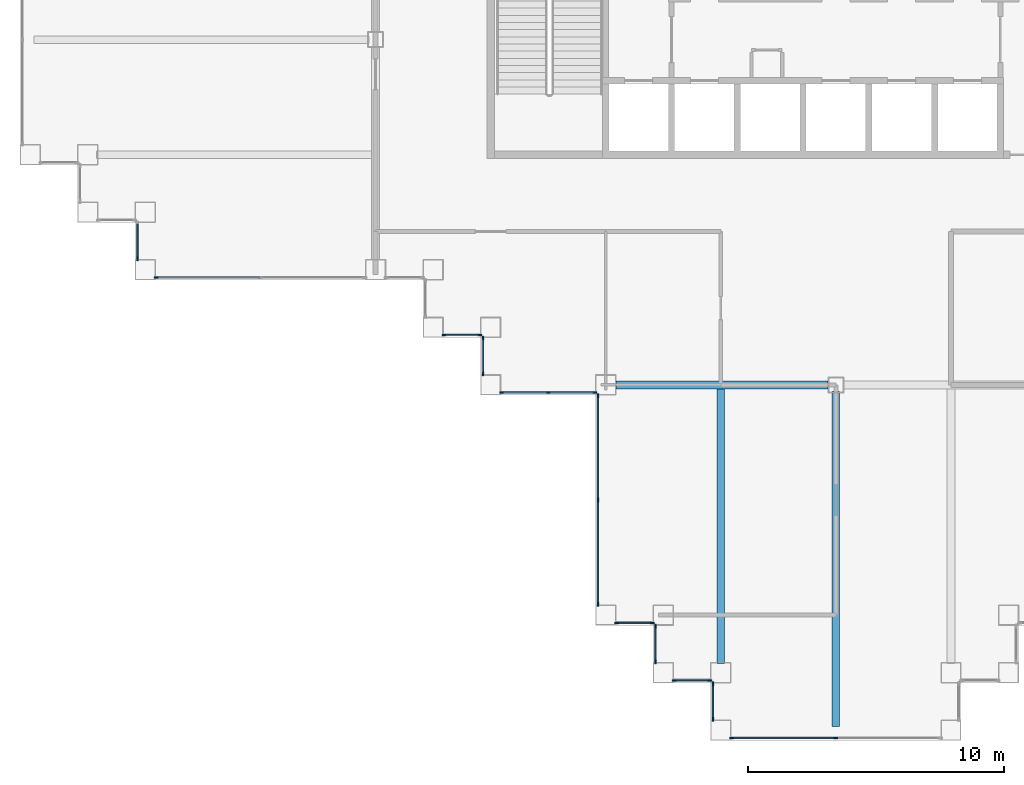
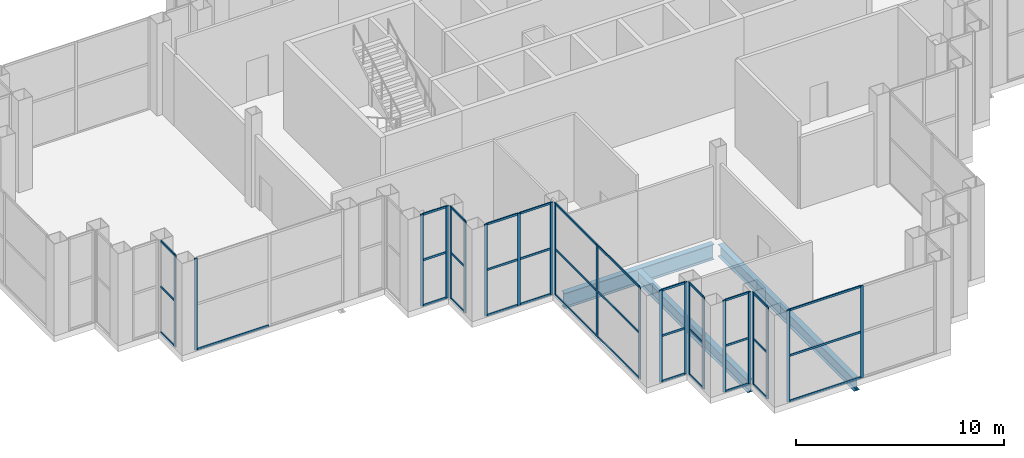
# One storey, part 3 of 18: 59 members, 3 beams, 11 elements without a shape of their own.
"""IFC4 building model written with IfcOpenShell, lengths in metres."""

from ifc_helpers import new_model, si_unit, direction, frame, origin, origin_2d, place, context, subcontext, project, spatial, rectangle, i_section, extrude, material, layer, layer_set, material_profile, profile_set, type_object, element, aggregate, save


model = new_model("IFC4")

# Units and contexts
model_context = context("Model", 3, precision=1e-05, world=origin(), true_north=direction((0.0, 1.0)))
body_context = subcontext(model_context, "Body", "Model", "MODEL_VIEW")
ifc_project = project(units=[si_unit("LENGTHUNIT", "METRE"), si_unit("AREAUNIT", "SQUARE_METRE"), si_unit("VOLUMEUNIT", "CUBIC_METRE"), si_unit("PLANEANGLEUNIT", "RADIAN"), si_unit("MASSUNIT", "GRAM", prefix="KILO")], contexts=[model_context])

# Site, building, storey
site_placement = place(None, origin())
site = spatial("IfcSite", under=ifc_project, at=site_placement, CompositionType="ELEMENT")
building_placement = place(site_placement, origin())
building = spatial("IfcBuilding", under=site, at=building_placement, Name="Caravel Reach Hotel and Residences", CompositionType="ELEMENT")
storey_placement = place(building_placement, frame((0.0, 0.0, 145.199951171875)))
storey = spatial("IfcBuildingStorey", under=building, at=storey_placement, Name="L36", CompositionType="ELEMENT", Elevation=145.199951171875)

# Beams
ifc_material_1 = material(Name="Structural steel Q355B", Category="steel")
ifc_material_profile_1 = material_profile(ifc_material_1, i_section(OverallWidth=0.300048828125, OverallDepth=0.699951171875, WebThickness=0.012939453125, FlangeThickness=0.02392578125, FilletRadius=0.01806640625, at=origin_2d()), Name="HN 700x300x13x24")
ifc_profile_set_1 = profile_set([ifc_material_profile_1], Name="Structural steel Q355B")
beam_type_1 = type_object("IfcBeamType", Name="Beam HN 700x300x13x24", PredefinedType="BEAM", material=ifc_profile_set_1)
beam_1_placement = place(storey_placement, frame((27.0, 13.35009765625, -0.699951171875), z_axis=(0.0, -1.0, 0.0), x_axis=(1.0, 0.0, 0.0)))
element("IfcBeam", 1, at=beam_1_placement, inside=storey, type_object=beam_type_1, Name="B2 HN 700x300x13x24", PredefinedType="BEAM", context=body_context, shape_type="SweptSolid", body=[
    extrude(i_section(OverallWidth=0.300048828125, OverallDepth=0.699951171875, WebThickness=0.012939453125, FlangeThickness=0.02392578125, FilletRadius=0.01806640625, at=origin_2d()), origin(), (0.0, 0.0, 1.0), 10.75),
])
beam_2_placement = place(storey_placement, frame((31.5, 13.25, -0.699951171875), z_axis=(0.0, -1.0, 0.0), x_axis=(1.0, 0.0, 0.0)))
element("IfcBeam", 2, at=beam_2_placement, inside=storey, type_object=beam_type_1, Name="B2 HN 700x300x13x24", PredefinedType="BEAM", context=body_context, shape_type="SweptSolid", body=[
    extrude(i_section(OverallWidth=0.300048828125, OverallDepth=0.699951171875, WebThickness=0.012939453125, FlangeThickness=0.02392578125, FilletRadius=0.01806640625, at=origin_2d()), origin(), (0.0, 0.0, 1.0), 13.10009765625),
])
ifc_material_2 = material(Name="Structural steel Q355B", Category="steel")
ifc_material_profile_2 = material_profile(ifc_material_2, i_section(OverallWidth=0.300048828125, OverallDepth=0.89990234375, WebThickness=0.01611328125, FlangeThickness=0.028076171875, FilletRadius=0.01806640625, at=origin_2d()), Name="HN 900x300x16x28")
ifc_profile_set_2 = profile_set([ifc_material_profile_2], Name="Structural steel Q355B")
beam_type_2 = type_object("IfcBeamType", Name="Beam HN 900x300x16x28", PredefinedType="BEAM", material=ifc_profile_set_2)
beam_3_placement = place(storey_placement, frame((22.89990234375, 13.5, -0.800048828125), z_axis=(1.0, 0.0, 0.0), x_axis=(0.0, 1.0, 0.0)))
element("IfcBeam", 3, at=beam_3_placement, inside=storey, type_object=beam_type_2, Name="B3 HN 900x300x16x28", PredefinedType="BEAM", context=body_context, shape_type="SweptSolid", body=[
    extrude(i_section(OverallWidth=0.300048828125, OverallDepth=0.89990234375, WebThickness=0.01611328125, FlangeThickness=0.028076171875, FilletRadius=0.01806640625, at=origin_2d()), origin(), (0.0, 0.0, 1.0), 8.300048828125),
])

# Curtain wall, members
ifc_material_3 = material(Name="Dark low-e glazing in black aluminium frame", Category="aluminium")
ifc_layer = layer(ifc_material_3, 0.199951171875)
ifc_layer_set = layer_set([ifc_layer], Name="CW2 Sky lobby glazing")
curtain_wall_type = type_object("IfcCurtainWallType", Name="CW2 Sky lobby glazing", PredefinedType="NOTDEFINED", material=ifc_layer_set)
curtain_wall_1_placement = place(storey_placement, origin())
curtain_wall_1 = element("IfcCurtainWall", 4, at=curtain_wall_1_placement, inside=storey, type_object=curtain_wall_type, Name="Sky lobby glazing b0", PredefinedType="NOTDEFINED")
ifc_material_4 = material(Name="Anodised aluminium alloy 6063-T5, black", Category="aluminium")
ifc_material_profile_3 = material_profile(ifc_material_4, rectangle(XDim=0.06005859375, YDim=0.159912109375, at=origin_2d()), Name="CW mullion 60 x 160")
ifc_profile_set_3 = profile_set([ifc_material_profile_3], Name="Anodised aluminium alloy 6063-T5, black")
member_type_1 = type_object("IfcMemberType", Name="CW mullion 60 x 160", PredefinedType="MULLION", material=ifc_profile_set_3)
member_1_placement = place(storey_placement, frame((22.929931640625, 4.199951171875, 0.0), z_axis=(0.0, 0.0, 1.0), x_axis=(0.0, 1.0, 0.0)))
member_1 = element("IfcMember", 5, at=member_1_placement, type_object=member_type_1, Name="CW2 mullion 1", PredefinedType="MULLION", context=body_context, shape_type="SweptSolid", body=[
    extrude(rectangle(XDim=0.06005859375, YDim=0.159912109375, at=origin_2d()), origin(), (0.0, 0.0, 1.0), 5.400146484375),
])
member_2_placement = place(storey_placement, frame((24.320068359375, 4.199951171875, 0.0), z_axis=(0.0, 0.0, 1.0), x_axis=(0.0, 1.0, 0.0)))
member_2 = element("IfcMember", 6, at=member_2_placement, type_object=member_type_1, Name="CW2 mullion 2", PredefinedType="MULLION", context=body_context, shape_type="SweptSolid", body=[
    extrude(rectangle(XDim=0.06005859375, YDim=0.159912109375, at=origin_2d()), origin(), (0.0, 0.0, 1.0), 5.400146484375),
])

curtain_wall_2_placement = place(storey_placement, origin())
curtain_wall_2 = element("IfcCurtainWall", 7, at=curtain_wall_2_placement, inside=storey, type_object=curtain_wall_type, Name="Sky lobby glazing b0", PredefinedType="NOTDEFINED")
member_3_placement = place(storey_placement, frame((24.449951171875, 4.070068359375, 0.0), z_axis=(0.0, 0.0, 1.0), x_axis=(1.0, 0.0, 0.0)))
member_3 = element("IfcMember", 8, at=member_3_placement, type_object=member_type_1, Name="CW2 mullion 1", PredefinedType="MULLION", context=body_context, shape_type="SweptSolid", body=[
    extrude(rectangle(XDim=0.06005859375, YDim=0.159912109375, at=origin_2d()), origin(), (0.0, 0.0, 1.0), 5.400146484375),
])
member_4_placement = place(storey_placement, frame((24.449951171875, 2.679931640625, 0.0), z_axis=(0.0, 0.0, 1.0), x_axis=(1.0, 0.0, 0.0)))
member_4 = element("IfcMember", 9, at=member_4_placement, type_object=member_type_1, Name="CW2 mullion 2", PredefinedType="MULLION", context=body_context, shape_type="SweptSolid", body=[
    extrude(rectangle(XDim=0.06005859375, YDim=0.159912109375, at=origin_2d()), origin(), (0.0, 0.0, 1.0), 5.400146484375),
])

curtain_wall_3_placement = place(storey_placement, origin())
curtain_wall_3 = element("IfcCurtainWall", 10, at=curtain_wall_3_placement, inside=storey, type_object=curtain_wall_type, Name="Sky lobby glazing b0", PredefinedType="NOTDEFINED")
member_5_placement = place(storey_placement, frame((25.179931640625, 1.949951171875, 0.0), z_axis=(0.0, 0.0, 1.0), x_axis=(0.0, 1.0, 0.0)))
member_5 = element("IfcMember", 11, at=member_5_placement, type_object=member_type_1, Name="CW2 mullion 1", PredefinedType="MULLION", context=body_context, shape_type="SweptSolid", body=[
    extrude(rectangle(XDim=0.06005859375, YDim=0.159912109375, at=origin_2d()), origin(), (0.0, 0.0, 1.0), 5.400146484375),
])
member_6_placement = place(storey_placement, frame((26.570068359375, 1.949951171875, 0.0), z_axis=(0.0, 0.0, 1.0), x_axis=(0.0, 1.0, 0.0)))
member_6 = element("IfcMember", 12, at=member_6_placement, type_object=member_type_1, Name="CW2 mullion 2", PredefinedType="MULLION", context=body_context, shape_type="SweptSolid", body=[
    extrude(rectangle(XDim=0.06005859375, YDim=0.159912109375, at=origin_2d()), origin(), (0.0, 0.0, 1.0), 5.400146484375),
])

curtain_wall_4_placement = place(storey_placement, origin())
curtain_wall_4 = element("IfcCurtainWall", 13, at=curtain_wall_4_placement, inside=storey, type_object=curtain_wall_type, Name="Sky lobby glazing b0", PredefinedType="NOTDEFINED")
member_7_placement = place(storey_placement, frame((26.699951171875, 1.820068359375, 0.0), z_axis=(0.0, 0.0, 1.0), x_axis=(1.0, 0.0, 0.0)))
member_7 = element("IfcMember", 14, at=member_7_placement, type_object=member_type_1, Name="CW2 mullion 1", PredefinedType="MULLION", context=body_context, shape_type="SweptSolid", body=[
    extrude(rectangle(XDim=0.06005859375, YDim=0.159912109375, at=origin_2d()), origin(), (0.0, 0.0, 1.0), 5.400146484375),
])
member_8_placement = place(storey_placement, frame((26.699951171875, 0.429931640625, 0.0), z_axis=(0.0, 0.0, 1.0), x_axis=(1.0, 0.0, 0.0)))
member_8 = element("IfcMember", 15, at=member_8_placement, type_object=member_type_1, Name="CW2 mullion 2", PredefinedType="MULLION", context=body_context, shape_type="SweptSolid", body=[
    extrude(rectangle(XDim=0.06005859375, YDim=0.159912109375, at=origin_2d()), origin(), (0.0, 0.0, 1.0), 5.400146484375),
])

curtain_wall_5_placement = place(storey_placement, origin())
curtain_wall_5 = element("IfcCurtainWall", 16, at=curtain_wall_5_placement, inside=storey, type_object=curtain_wall_type, Name="Sky lobby glazing b0", PredefinedType="NOTDEFINED")
member_9_placement = place(storey_placement, frame((27.429931640625, -0.300048828125, 0.0), z_axis=(0.0, 0.0, 1.0), x_axis=(0.0, 1.0, 0.0)))
member_9 = element("IfcMember", 17, at=member_9_placement, type_object=member_type_1, Name="CW2 mullion 1", PredefinedType="MULLION", context=body_context, shape_type="SweptSolid", body=[
    extrude(rectangle(XDim=0.06005859375, YDim=0.159912109375, at=origin_2d()), origin(), (0.0, 0.0, 1.0), 5.400146484375),
])
member_10_placement = place(storey_placement, frame((31.5, -0.300048828125, 0.0), z_axis=(0.0, 0.0, 1.0), x_axis=(0.0, 1.0, 0.0)))
member_10 = element("IfcMember", 18, at=member_10_placement, type_object=member_type_1, Name="CW2 mullion 2", PredefinedType="MULLION", context=body_context, shape_type="SweptSolid", body=[
    extrude(rectangle(XDim=0.06005859375, YDim=0.159912109375, at=origin_2d()), origin(), (0.0, 0.0, 1.0), 5.400146484375),
])

# Curtain wall, member
curtain_wall_6_placement = place(storey_placement, origin())
curtain_wall_6 = element("IfcCurtainWall", 19, at=curtain_wall_6_placement, inside=storey, type_object=curtain_wall_type, Name="Sky lobby glazing b0", PredefinedType="NOTDEFINED")
member_11_placement = place(storey_placement, frame((4.199951171875, 18.429931640625, 0.0), z_axis=(0.0, 0.0, 1.0), x_axis=(1.0, 0.0, 0.0)))
member_11 = element("IfcMember", 20, at=member_11_placement, type_object=member_type_1, Name="CW2 mullion 2", PredefinedType="MULLION", context=body_context, shape_type="SweptSolid", body=[
    extrude(rectangle(XDim=0.06005859375, YDim=0.159912109375, at=origin_2d()), origin(), (0.0, 0.0, 1.0), 5.400146484375),
])

curtain_wall_7_placement = place(storey_placement, origin())
curtain_wall_7 = element("IfcCurtainWall", 21, at=curtain_wall_7_placement, inside=storey, type_object=curtain_wall_type, Name="Sky lobby glazing b0", PredefinedType="NOTDEFINED")
member_12_placement = place(storey_placement, frame((4.929931640625, 17.699951171875, 0.0), z_axis=(0.0, 0.0, 1.0), x_axis=(0.0, 1.0, 0.0)))
member_12 = element("IfcMember", 22, at=member_12_placement, type_object=member_type_1, Name="CW2 mullion 1", PredefinedType="MULLION", context=body_context, shape_type="SweptSolid", body=[
    extrude(rectangle(XDim=0.06005859375, YDim=0.159912109375, at=origin_2d()), origin(), (0.0, 0.0, 1.0), 5.400146484375),
])

# Curtain wall, members
curtain_wall_8_placement = place(storey_placement, origin())
curtain_wall_8 = element("IfcCurtainWall", 23, at=curtain_wall_8_placement, inside=storey, type_object=curtain_wall_type, Name="Sky lobby glazing b0", PredefinedType="NOTDEFINED")
member_13_placement = place(storey_placement, frame((16.179931640625, 15.449951171875, 0.0), z_axis=(0.0, 0.0, 1.0), x_axis=(0.0, 1.0, 0.0)))
member_13 = element("IfcMember", 24, at=member_13_placement, type_object=member_type_1, Name="CW2 mullion 1", PredefinedType="MULLION", context=body_context, shape_type="SweptSolid", body=[
    extrude(rectangle(XDim=0.06005859375, YDim=0.159912109375, at=origin_2d()), origin(), (0.0, 0.0, 1.0), 5.400146484375),
])
member_14_placement = place(storey_placement, frame((17.570068359375, 15.449951171875, 0.0), z_axis=(0.0, 0.0, 1.0), x_axis=(0.0, 1.0, 0.0)))
member_14 = element("IfcMember", 25, at=member_14_placement, type_object=member_type_1, Name="CW2 mullion 2", PredefinedType="MULLION", context=body_context, shape_type="SweptSolid", body=[
    extrude(rectangle(XDim=0.06005859375, YDim=0.159912109375, at=origin_2d()), origin(), (0.0, 0.0, 1.0), 5.400146484375),
])

curtain_wall_9_placement = place(storey_placement, origin())
curtain_wall_9 = element("IfcCurtainWall", 26, at=curtain_wall_9_placement, inside=storey, type_object=curtain_wall_type, Name="Sky lobby glazing b0", PredefinedType="NOTDEFINED")
member_15_placement = place(storey_placement, frame((17.699951171875, 15.320068359375, 0.0), z_axis=(0.0, 0.0, 1.0), x_axis=(1.0, 0.0, 0.0)))
member_15 = element("IfcMember", 27, at=member_15_placement, type_object=member_type_1, Name="CW2 mullion 1", PredefinedType="MULLION", context=body_context, shape_type="SweptSolid", body=[
    extrude(rectangle(XDim=0.06005859375, YDim=0.159912109375, at=origin_2d()), origin(), (0.0, 0.0, 1.0), 5.400146484375),
])
member_16_placement = place(storey_placement, frame((17.699951171875, 13.929931640625, 0.0), z_axis=(0.0, 0.0, 1.0), x_axis=(1.0, 0.0, 0.0)))
member_16 = element("IfcMember", 28, at=member_16_placement, type_object=member_type_1, Name="CW2 mullion 2", PredefinedType="MULLION", context=body_context, shape_type="SweptSolid", body=[
    extrude(rectangle(XDim=0.06005859375, YDim=0.159912109375, at=origin_2d()), origin(), (0.0, 0.0, 1.0), 5.400146484375),
])

curtain_wall_10_placement = place(storey_placement, origin())
curtain_wall_10 = element("IfcCurtainWall", 29, at=curtain_wall_10_placement, inside=storey, type_object=curtain_wall_type, Name="Sky lobby glazing b0", PredefinedType="NOTDEFINED")
member_17_placement = place(storey_placement, frame((18.429931640625, 13.199951171875, 0.0), z_axis=(0.0, 0.0, 1.0), x_axis=(0.0, 1.0, 0.0)))
member_17 = element("IfcMember", 30, at=member_17_placement, type_object=member_type_1, Name="CW2 mullion 1", PredefinedType="MULLION", context=body_context, shape_type="SweptSolid", body=[
    extrude(rectangle(XDim=0.06005859375, YDim=0.159912109375, at=origin_2d()), origin(), (0.0, 0.0, 1.0), 5.400146484375),
])
member_18_placement = place(storey_placement, frame((20.25, 13.199951171875, 0.0), z_axis=(0.0, 0.0, 1.0), x_axis=(0.0, 1.0, 0.0)))
member_18 = element("IfcMember", 31, at=member_18_placement, type_object=member_type_1, Name="CW2 mullion 2", PredefinedType="MULLION", context=body_context, shape_type="SweptSolid", body=[
    extrude(rectangle(XDim=0.06005859375, YDim=0.159912109375, at=origin_2d()), origin(), (0.0, 0.0, 1.0), 5.400146484375),
])
member_19_placement = place(storey_placement, frame((22.070068359375, 13.199951171875, 0.0), z_axis=(0.0, 0.0, 1.0), x_axis=(0.0, 1.0, 0.0)))
member_19 = element("IfcMember", 32, at=member_19_placement, type_object=member_type_1, Name="CW2 mullion 3", PredefinedType="MULLION", context=body_context, shape_type="SweptSolid", body=[
    extrude(rectangle(XDim=0.06005859375, YDim=0.159912109375, at=origin_2d()), origin(), (0.0, 0.0, 1.0), 5.400146484375),
])

curtain_wall_11_placement = place(storey_placement, origin())
curtain_wall_11 = element("IfcCurtainWall", 33, at=curtain_wall_11_placement, inside=storey, type_object=curtain_wall_type, Name="Sky lobby glazing b0", PredefinedType="NOTDEFINED")
member_20_placement = place(storey_placement, frame((22.199951171875, 13.070068359375, 0.0), z_axis=(0.0, 0.0, 1.0), x_axis=(1.0, 0.0, 0.0)))
member_20 = element("IfcMember", 34, at=member_20_placement, type_object=member_type_1, Name="CW2 mullion 1", PredefinedType="MULLION", context=body_context, shape_type="SweptSolid", body=[
    extrude(rectangle(XDim=0.06005859375, YDim=0.159912109375, at=origin_2d()), origin(), (0.0, 0.0, 1.0), 5.400146484375),
])
member_21_placement = place(storey_placement, frame((22.199951171875, 9.0, 0.0), z_axis=(0.0, 0.0, 1.0), x_axis=(1.0, 0.0, 0.0)))
member_21 = element("IfcMember", 35, at=member_21_placement, type_object=member_type_1, Name="CW2 mullion 2", PredefinedType="MULLION", context=body_context, shape_type="SweptSolid", body=[
    extrude(rectangle(XDim=0.06005859375, YDim=0.159912109375, at=origin_2d()), origin(), (0.0, 0.0, 1.0), 5.400146484375),
])
member_22_placement = place(storey_placement, frame((22.199951171875, 4.929931640625, 0.0), z_axis=(0.0, 0.0, 1.0), x_axis=(1.0, 0.0, 0.0)))
member_22 = element("IfcMember", 36, at=member_22_placement, type_object=member_type_1, Name="CW2 mullion 3", PredefinedType="MULLION", context=body_context, shape_type="SweptSolid", body=[
    extrude(rectangle(XDim=0.06005859375, YDim=0.159912109375, at=origin_2d()), origin(), (0.0, 0.0, 1.0), 5.400146484375),
])

# Member
ifc_material_5 = material(Name="Anodised aluminium alloy 6063-T5, black", Category="aluminium")
ifc_material_profile_4 = material_profile(ifc_material_5, rectangle(XDim=0.06005859375, YDim=0.1201171875, at=origin_2d()), Name="CW transom 60 x 120")
ifc_profile_set_4 = profile_set([ifc_material_profile_4], Name="Anodised aluminium alloy 6063-T5, black")
member_type_2 = type_object("IfcMemberType", Name="CW transom 60 x 120", PredefinedType="USERDEFINED", material=ifc_profile_set_4)
member_23_placement = place(storey_placement, frame((22.9599609375, 4.199951171875, 0.030029296875), z_axis=(1.0, 0.0, 0.0), x_axis=(0.0, 1.0, 0.0)))
member_23 = element("IfcMember", 37, at=member_23_placement, type_object=member_type_2, Name="CW2 transom 1.1", ObjectType="TRANSOM", PredefinedType="USERDEFINED", context=body_context, shape_type="SweptSolid", body=[
    extrude(rectangle(XDim=0.06005859375, YDim=0.1201171875, at=origin_2d()), origin(), (0.0, 0.0, 1.0), 1.330078125),
])

member_24_placement = place(storey_placement, frame((22.9599609375, 4.199951171875, 2.699951171875), z_axis=(1.0, 0.0, 0.0), x_axis=(0.0, 1.0, 0.0)))
member_24 = element("IfcMember", 38, at=member_24_placement, type_object=member_type_2, Name="CW2 transom 1.2", ObjectType="TRANSOM", PredefinedType="USERDEFINED", context=body_context, shape_type="SweptSolid", body=[
    extrude(rectangle(XDim=0.06005859375, YDim=0.1201171875, at=origin_2d()), origin(), (0.0, 0.0, 1.0), 1.330078125),
])

member_25_placement = place(storey_placement, frame((22.9599609375, 4.199951171875, 5.3701171875), z_axis=(1.0, 0.0, 0.0), x_axis=(0.0, 1.0, 0.0)))
member_25 = element("IfcMember", 39, at=member_25_placement, type_object=member_type_2, Name="CW2 transom 1.3", ObjectType="TRANSOM", PredefinedType="USERDEFINED", context=body_context, shape_type="SweptSolid", body=[
    extrude(rectangle(XDim=0.06005859375, YDim=0.1201171875, at=origin_2d()), origin(), (0.0, 0.0, 1.0), 1.330078125),
])

aggregate(curtain_wall_1, [member_1, member_2, member_23, member_24, member_25])

member_26_placement = place(storey_placement, frame((24.449951171875, 4.0400390625, 0.030029296875), z_axis=(0.0, -1.0, 0.0), x_axis=(1.0, 0.0, 0.0)))
member_26 = element("IfcMember", 40, at=member_26_placement, type_object=member_type_2, Name="CW2 transom 1.1", ObjectType="TRANSOM", PredefinedType="USERDEFINED", context=body_context, shape_type="SweptSolid", body=[
    extrude(rectangle(XDim=0.06005859375, YDim=0.1201171875, at=origin_2d()), origin(), (0.0, 0.0, 1.0), 1.330078125),
])

member_27_placement = place(storey_placement, frame((24.449951171875, 4.0400390625, 2.699951171875), z_axis=(0.0, -1.0, 0.0), x_axis=(1.0, 0.0, 0.0)))
member_27 = element("IfcMember", 41, at=member_27_placement, type_object=member_type_2, Name="CW2 transom 1.2", ObjectType="TRANSOM", PredefinedType="USERDEFINED", context=body_context, shape_type="SweptSolid", body=[
    extrude(rectangle(XDim=0.06005859375, YDim=0.1201171875, at=origin_2d()), origin(), (0.0, 0.0, 1.0), 1.330078125),
])

member_28_placement = place(storey_placement, frame((24.449951171875, 4.0400390625, 5.3701171875), z_axis=(0.0, -1.0, 0.0), x_axis=(1.0, 0.0, 0.0)))
member_28 = element("IfcMember", 42, at=member_28_placement, type_object=member_type_2, Name="CW2 transom 1.3", ObjectType="TRANSOM", PredefinedType="USERDEFINED", context=body_context, shape_type="SweptSolid", body=[
    extrude(rectangle(XDim=0.06005859375, YDim=0.1201171875, at=origin_2d()), origin(), (0.0, 0.0, 1.0), 1.330078125),
])

aggregate(curtain_wall_2, [member_3, member_4, member_26, member_27, member_28])

member_29_placement = place(storey_placement, frame((25.2099609375, 1.949951171875, 0.030029296875), z_axis=(1.0, 0.0, 0.0), x_axis=(0.0, 1.0, 0.0)))
member_29 = element("IfcMember", 43, at=member_29_placement, type_object=member_type_2, Name="CW2 transom 1.1", ObjectType="TRANSOM", PredefinedType="USERDEFINED", context=body_context, shape_type="SweptSolid", body=[
    extrude(rectangle(XDim=0.06005859375, YDim=0.1201171875, at=origin_2d()), origin(), (0.0, 0.0, 1.0), 1.330078125),
])

member_30_placement = place(storey_placement, frame((25.2099609375, 1.949951171875, 2.699951171875), z_axis=(1.0, 0.0, 0.0), x_axis=(0.0, 1.0, 0.0)))
member_30 = element("IfcMember", 44, at=member_30_placement, type_object=member_type_2, Name="CW2 transom 1.2", ObjectType="TRANSOM", PredefinedType="USERDEFINED", context=body_context, shape_type="SweptSolid", body=[
    extrude(rectangle(XDim=0.06005859375, YDim=0.1201171875, at=origin_2d()), origin(), (0.0, 0.0, 1.0), 1.330078125),
])

member_31_placement = place(storey_placement, frame((25.2099609375, 1.949951171875, 5.3701171875), z_axis=(1.0, 0.0, 0.0), x_axis=(0.0, 1.0, 0.0)))
member_31 = element("IfcMember", 45, at=member_31_placement, type_object=member_type_2, Name="CW2 transom 1.3", ObjectType="TRANSOM", PredefinedType="USERDEFINED", context=body_context, shape_type="SweptSolid", body=[
    extrude(rectangle(XDim=0.06005859375, YDim=0.1201171875, at=origin_2d()), origin(), (0.0, 0.0, 1.0), 1.330078125),
])

aggregate(curtain_wall_3, [member_5, member_6, member_29, member_30, member_31])

member_32_placement = place(storey_placement, frame((26.699951171875, 1.7900390625, 0.030029296875), z_axis=(0.0, -1.0, 0.0), x_axis=(1.0, 0.0, 0.0)))
member_32 = element("IfcMember", 46, at=member_32_placement, type_object=member_type_2, Name="CW2 transom 1.1", ObjectType="TRANSOM", PredefinedType="USERDEFINED", context=body_context, shape_type="SweptSolid", body=[
    extrude(rectangle(XDim=0.06005859375, YDim=0.1201171875, at=origin_2d()), origin(), (0.0, 0.0, 1.0), 1.330078125),
])

member_33_placement = place(storey_placement, frame((26.699951171875, 1.7900390625, 2.699951171875), z_axis=(0.0, -1.0, 0.0), x_axis=(1.0, 0.0, 0.0)))
member_33 = element("IfcMember", 47, at=member_33_placement, type_object=member_type_2, Name="CW2 transom 1.2", ObjectType="TRANSOM", PredefinedType="USERDEFINED", context=body_context, shape_type="SweptSolid", body=[
    extrude(rectangle(XDim=0.06005859375, YDim=0.1201171875, at=origin_2d()), origin(), (0.0, 0.0, 1.0), 1.330078125),
])

member_34_placement = place(storey_placement, frame((26.699951171875, 1.7900390625, 5.3701171875), z_axis=(0.0, -1.0, 0.0), x_axis=(1.0, 0.0, 0.0)))
member_34 = element("IfcMember", 48, at=member_34_placement, type_object=member_type_2, Name="CW2 transom 1.3", ObjectType="TRANSOM", PredefinedType="USERDEFINED", context=body_context, shape_type="SweptSolid", body=[
    extrude(rectangle(XDim=0.06005859375, YDim=0.1201171875, at=origin_2d()), origin(), (0.0, 0.0, 1.0), 1.330078125),
])

aggregate(curtain_wall_4, [member_7, member_8, member_32, member_33, member_34])

member_35_placement = place(storey_placement, frame((27.4599609375, -0.300048828125, 0.030029296875), z_axis=(1.0, 0.0, 0.0), x_axis=(0.0, 1.0, 0.0)))
member_35 = element("IfcMember", 49, at=member_35_placement, type_object=member_type_2, Name="CW2 transom 1.1", ObjectType="TRANSOM", PredefinedType="USERDEFINED", context=body_context, shape_type="SweptSolid", body=[
    extrude(rectangle(XDim=0.06005859375, YDim=0.1201171875, at=origin_2d()), origin(), (0.0, 0.0, 1.0), 4.010009765625),
])

member_36_placement = place(storey_placement, frame((27.4599609375, -0.300048828125, 2.699951171875), z_axis=(1.0, 0.0, 0.0), x_axis=(0.0, 1.0, 0.0)))
member_36 = element("IfcMember", 50, at=member_36_placement, type_object=member_type_2, Name="CW2 transom 1.2", ObjectType="TRANSOM", PredefinedType="USERDEFINED", context=body_context, shape_type="SweptSolid", body=[
    extrude(rectangle(XDim=0.06005859375, YDim=0.1201171875, at=origin_2d()), origin(), (0.0, 0.0, 1.0), 4.010009765625),
])

member_37_placement = place(storey_placement, frame((27.4599609375, -0.300048828125, 5.3701171875), z_axis=(1.0, 0.0, 0.0), x_axis=(0.0, 1.0, 0.0)))
member_37 = element("IfcMember", 51, at=member_37_placement, type_object=member_type_2, Name="CW2 transom 1.3", ObjectType="TRANSOM", PredefinedType="USERDEFINED", context=body_context, shape_type="SweptSolid", body=[
    extrude(rectangle(XDim=0.06005859375, YDim=0.1201171875, at=origin_2d()), origin(), (0.0, 0.0, 1.0), 4.010009765625),
])

aggregate(curtain_wall_5, [member_9, member_10, member_35, member_36, member_37])

member_38_placement = place(storey_placement, frame((4.199951171875, 19.7900390625, 0.030029296875), z_axis=(0.0, -1.0, 0.0), x_axis=(1.0, 0.0, 0.0)))
member_38 = element("IfcMember", 52, at=member_38_placement, type_object=member_type_2, Name="CW2 transom 1.1", ObjectType="TRANSOM", PredefinedType="USERDEFINED", context=body_context, shape_type="SweptSolid", body=[
    extrude(rectangle(XDim=0.06005859375, YDim=0.1201171875, at=origin_2d()), origin(), (0.0, 0.0, 1.0), 1.330078125),
])

member_39_placement = place(storey_placement, frame((4.199951171875, 19.7900390625, 2.699951171875), z_axis=(0.0, -1.0, 0.0), x_axis=(1.0, 0.0, 0.0)))
member_39 = element("IfcMember", 53, at=member_39_placement, type_object=member_type_2, Name="CW2 transom 1.2", ObjectType="TRANSOM", PredefinedType="USERDEFINED", context=body_context, shape_type="SweptSolid", body=[
    extrude(rectangle(XDim=0.06005859375, YDim=0.1201171875, at=origin_2d()), origin(), (0.0, 0.0, 1.0), 1.330078125),
])

member_40_placement = place(storey_placement, frame((4.199951171875, 19.7900390625, 5.3701171875), z_axis=(0.0, -1.0, 0.0), x_axis=(1.0, 0.0, 0.0)))
member_40 = element("IfcMember", 54, at=member_40_placement, type_object=member_type_2, Name="CW2 transom 1.3", ObjectType="TRANSOM", PredefinedType="USERDEFINED", context=body_context, shape_type="SweptSolid", body=[
    extrude(rectangle(XDim=0.06005859375, YDim=0.1201171875, at=origin_2d()), origin(), (0.0, 0.0, 1.0), 1.330078125),
])

aggregate(curtain_wall_6, [member_11, member_38, member_39, member_40])

member_41_placement = place(storey_placement, frame((4.9599609375, 17.699951171875, 0.030029296875), z_axis=(1.0, 0.0, 0.0), x_axis=(0.0, 1.0, 0.0)))
member_41 = element("IfcMember", 55, at=member_41_placement, type_object=member_type_2, Name="CW2 transom 1.1", ObjectType="TRANSOM", PredefinedType="USERDEFINED", context=body_context, shape_type="SweptSolid", body=[
    extrude(rectangle(XDim=0.06005859375, YDim=0.1201171875, at=origin_2d()), origin(), (0.0, 0.0, 1.0), 4.010009765625),
])

aggregate(curtain_wall_7, [member_12, member_41])

member_42_placement = place(storey_placement, frame((16.2099609375, 15.449951171875, 0.030029296875), z_axis=(1.0, 0.0, 0.0), x_axis=(0.0, 1.0, 0.0)))
member_42 = element("IfcMember", 56, at=member_42_placement, type_object=member_type_2, Name="CW2 transom 1.1", ObjectType="TRANSOM", PredefinedType="USERDEFINED", context=body_context, shape_type="SweptSolid", body=[
    extrude(rectangle(XDim=0.06005859375, YDim=0.1201171875, at=origin_2d()), origin(), (0.0, 0.0, 1.0), 1.330078125),
])

member_43_placement = place(storey_placement, frame((16.2099609375, 15.449951171875, 2.699951171875), z_axis=(1.0, 0.0, 0.0), x_axis=(0.0, 1.0, 0.0)))
member_43 = element("IfcMember", 57, at=member_43_placement, type_object=member_type_2, Name="CW2 transom 1.2", ObjectType="TRANSOM", PredefinedType="USERDEFINED", context=body_context, shape_type="SweptSolid", body=[
    extrude(rectangle(XDim=0.06005859375, YDim=0.1201171875, at=origin_2d()), origin(), (0.0, 0.0, 1.0), 1.330078125),
])

member_44_placement = place(storey_placement, frame((16.2099609375, 15.449951171875, 5.3701171875), z_axis=(1.0, 0.0, 0.0), x_axis=(0.0, 1.0, 0.0)))
member_44 = element("IfcMember", 58, at=member_44_placement, type_object=member_type_2, Name="CW2 transom 1.3", ObjectType="TRANSOM", PredefinedType="USERDEFINED", context=body_context, shape_type="SweptSolid", body=[
    extrude(rectangle(XDim=0.06005859375, YDim=0.1201171875, at=origin_2d()), origin(), (0.0, 0.0, 1.0), 1.330078125),
])

aggregate(curtain_wall_8, [member_13, member_14, member_42, member_43, member_44])

member_45_placement = place(storey_placement, frame((17.699951171875, 15.2900390625, 0.030029296875), z_axis=(0.0, -1.0, 0.0), x_axis=(1.0, 0.0, 0.0)))
member_45 = element("IfcMember", 59, at=member_45_placement, type_object=member_type_2, Name="CW2 transom 1.1", ObjectType="TRANSOM", PredefinedType="USERDEFINED", context=body_context, shape_type="SweptSolid", body=[
    extrude(rectangle(XDim=0.06005859375, YDim=0.1201171875, at=origin_2d()), origin(), (0.0, 0.0, 1.0), 1.330078125),
])

member_46_placement = place(storey_placement, frame((17.699951171875, 15.2900390625, 2.699951171875), z_axis=(0.0, -1.0, 0.0), x_axis=(1.0, 0.0, 0.0)))
member_46 = element("IfcMember", 60, at=member_46_placement, type_object=member_type_2, Name="CW2 transom 1.2", ObjectType="TRANSOM", PredefinedType="USERDEFINED", context=body_context, shape_type="SweptSolid", body=[
    extrude(rectangle(XDim=0.06005859375, YDim=0.1201171875, at=origin_2d()), origin(), (0.0, 0.0, 1.0), 1.330078125),
])

member_47_placement = place(storey_placement, frame((17.699951171875, 15.2900390625, 5.3701171875), z_axis=(0.0, -1.0, 0.0), x_axis=(1.0, 0.0, 0.0)))
member_47 = element("IfcMember", 61, at=member_47_placement, type_object=member_type_2, Name="CW2 transom 1.3", ObjectType="TRANSOM", PredefinedType="USERDEFINED", context=body_context, shape_type="SweptSolid", body=[
    extrude(rectangle(XDim=0.06005859375, YDim=0.1201171875, at=origin_2d()), origin(), (0.0, 0.0, 1.0), 1.330078125),
])

aggregate(curtain_wall_9, [member_15, member_16, member_45, member_46, member_47])

member_48_placement = place(storey_placement, frame((18.4599609375, 13.199951171875, 0.030029296875), z_axis=(1.0, 0.0, 0.0), x_axis=(0.0, 1.0, 0.0)))
member_48 = element("IfcMember", 62, at=member_48_placement, type_object=member_type_2, Name="CW2 transom 1.1", ObjectType="TRANSOM", PredefinedType="USERDEFINED", context=body_context, shape_type="SweptSolid", body=[
    extrude(rectangle(XDim=0.06005859375, YDim=0.1201171875, at=origin_2d()), origin(), (0.0, 0.0, 1.0), 1.760009765625),
])

member_49_placement = place(storey_placement, frame((18.4599609375, 13.199951171875, 2.699951171875), z_axis=(1.0, 0.0, 0.0), x_axis=(0.0, 1.0, 0.0)))
member_49 = element("IfcMember", 63, at=member_49_placement, type_object=member_type_2, Name="CW2 transom 1.2", ObjectType="TRANSOM", PredefinedType="USERDEFINED", context=body_context, shape_type="SweptSolid", body=[
    extrude(rectangle(XDim=0.06005859375, YDim=0.1201171875, at=origin_2d()), origin(), (0.0, 0.0, 1.0), 1.760009765625),
])

member_50_placement = place(storey_placement, frame((18.4599609375, 13.199951171875, 5.3701171875), z_axis=(1.0, 0.0, 0.0), x_axis=(0.0, 1.0, 0.0)))
member_50 = element("IfcMember", 64, at=member_50_placement, type_object=member_type_2, Name="CW2 transom 1.3", ObjectType="TRANSOM", PredefinedType="USERDEFINED", context=body_context, shape_type="SweptSolid", body=[
    extrude(rectangle(XDim=0.06005859375, YDim=0.1201171875, at=origin_2d()), origin(), (0.0, 0.0, 1.0), 1.760009765625),
])

member_51_placement = place(storey_placement, frame((20.280029296875, 13.199951171875, 0.030029296875), z_axis=(1.0, 0.0, 0.0), x_axis=(0.0, 1.0, 0.0)))
member_51 = element("IfcMember", 65, at=member_51_placement, type_object=member_type_2, Name="CW2 transom 2.1", ObjectType="TRANSOM", PredefinedType="USERDEFINED", context=body_context, shape_type="SweptSolid", body=[
    extrude(rectangle(XDim=0.06005859375, YDim=0.1201171875, at=origin_2d()), origin(), (0.0, 0.0, 1.0), 1.760009765625),
])

member_52_placement = place(storey_placement, frame((20.280029296875, 13.199951171875, 2.699951171875), z_axis=(1.0, 0.0, 0.0), x_axis=(0.0, 1.0, 0.0)))
member_52 = element("IfcMember", 66, at=member_52_placement, type_object=member_type_2, Name="CW2 transom 2.2", ObjectType="TRANSOM", PredefinedType="USERDEFINED", context=body_context, shape_type="SweptSolid", body=[
    extrude(rectangle(XDim=0.06005859375, YDim=0.1201171875, at=origin_2d()), origin(), (0.0, 0.0, 1.0), 1.760009765625),
])

member_53_placement = place(storey_placement, frame((20.280029296875, 13.199951171875, 5.3701171875), z_axis=(1.0, 0.0, 0.0), x_axis=(0.0, 1.0, 0.0)))
member_53 = element("IfcMember", 67, at=member_53_placement, type_object=member_type_2, Name="CW2 transom 2.3", ObjectType="TRANSOM", PredefinedType="USERDEFINED", context=body_context, shape_type="SweptSolid", body=[
    extrude(rectangle(XDim=0.06005859375, YDim=0.1201171875, at=origin_2d()), origin(), (0.0, 0.0, 1.0), 1.760009765625),
])

aggregate(curtain_wall_10, [member_17, member_18, member_19, member_48, member_49, member_50, member_51, member_52, member_53])

member_54_placement = place(storey_placement, frame((22.199951171875, 13.0400390625, 0.030029296875), z_axis=(0.0, -1.0, 0.0), x_axis=(1.0, 0.0, 0.0)))
member_54 = element("IfcMember", 68, at=member_54_placement, type_object=member_type_2, Name="CW2 transom 1.1", ObjectType="TRANSOM", PredefinedType="USERDEFINED", context=body_context, shape_type="SweptSolid", body=[
    extrude(rectangle(XDim=0.06005859375, YDim=0.1201171875, at=origin_2d()), origin(), (0.0, 0.0, 1.0), 4.010009765625),
])

member_55_placement = place(storey_placement, frame((22.199951171875, 13.0400390625, 2.699951171875), z_axis=(0.0, -1.0, 0.0), x_axis=(1.0, 0.0, 0.0)))
member_55 = element("IfcMember", 69, at=member_55_placement, type_object=member_type_2, Name="CW2 transom 1.2", ObjectType="TRANSOM", PredefinedType="USERDEFINED", context=body_context, shape_type="SweptSolid", body=[
    extrude(rectangle(XDim=0.06005859375, YDim=0.1201171875, at=origin_2d()), origin(), (0.0, 0.0, 1.0), 4.010009765625),
])

member_56_placement = place(storey_placement, frame((22.199951171875, 13.0400390625, 5.3701171875), z_axis=(0.0, -1.0, 0.0), x_axis=(1.0, 0.0, 0.0)))
member_56 = element("IfcMember", 70, at=member_56_placement, type_object=member_type_2, Name="CW2 transom 1.3", ObjectType="TRANSOM", PredefinedType="USERDEFINED", context=body_context, shape_type="SweptSolid", body=[
    extrude(rectangle(XDim=0.06005859375, YDim=0.1201171875, at=origin_2d()), origin(), (0.0, 0.0, 1.0), 4.010009765625),
])

member_57_placement = place(storey_placement, frame((22.199951171875, 8.969970703125, 0.030029296875), z_axis=(0.0, -1.0, 0.0), x_axis=(1.0, 0.0, 0.0)))
member_57 = element("IfcMember", 71, at=member_57_placement, type_object=member_type_2, Name="CW2 transom 2.1", ObjectType="TRANSOM", PredefinedType="USERDEFINED", context=body_context, shape_type="SweptSolid", body=[
    extrude(rectangle(XDim=0.06005859375, YDim=0.1201171875, at=origin_2d()), origin(), (0.0, 0.0, 1.0), 4.010009765625),
])

member_58_placement = place(storey_placement, frame((22.199951171875, 8.969970703125, 2.699951171875), z_axis=(0.0, -1.0, 0.0), x_axis=(1.0, 0.0, 0.0)))
member_58 = element("IfcMember", 72, at=member_58_placement, type_object=member_type_2, Name="CW2 transom 2.2", ObjectType="TRANSOM", PredefinedType="USERDEFINED", context=body_context, shape_type="SweptSolid", body=[
    extrude(rectangle(XDim=0.06005859375, YDim=0.1201171875, at=origin_2d()), origin(), (0.0, 0.0, 1.0), 4.010009765625),
])

member_59_placement = place(storey_placement, frame((22.199951171875, 8.969970703125, 5.3701171875), z_axis=(0.0, -1.0, 0.0), x_axis=(1.0, 0.0, 0.0)))
member_59 = element("IfcMember", 73, at=member_59_placement, type_object=member_type_2, Name="CW2 transom 2.3", ObjectType="TRANSOM", PredefinedType="USERDEFINED", context=body_context, shape_type="SweptSolid", body=[
    extrude(rectangle(XDim=0.06005859375, YDim=0.1201171875, at=origin_2d()), origin(), (0.0, 0.0, 1.0), 4.010009765625),
])

aggregate(curtain_wall_11, [member_20, member_21, member_22, member_54, member_55, member_56, member_57, member_58, member_59])

save(model, "model.ifc")
